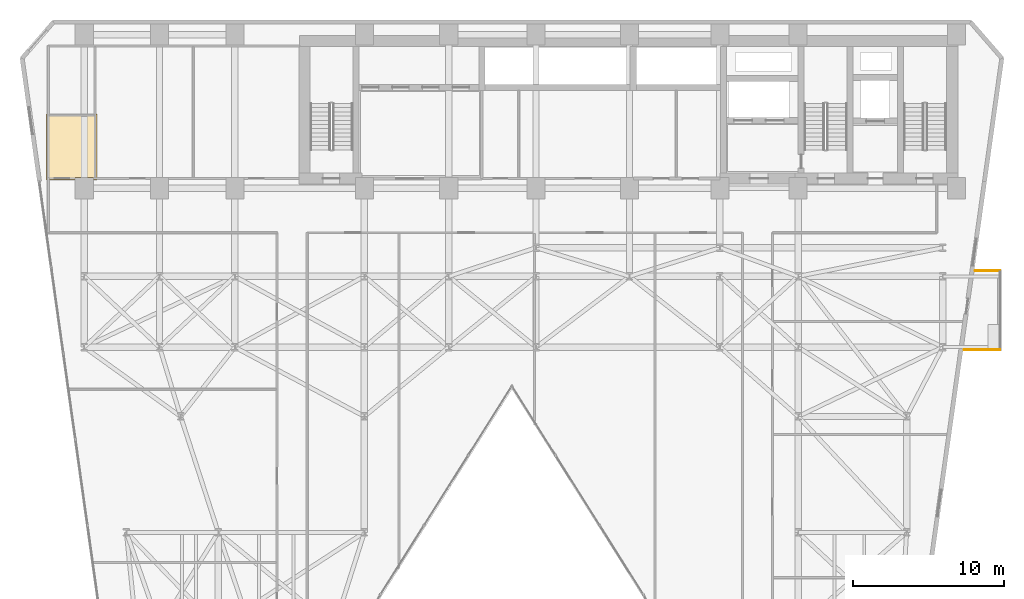
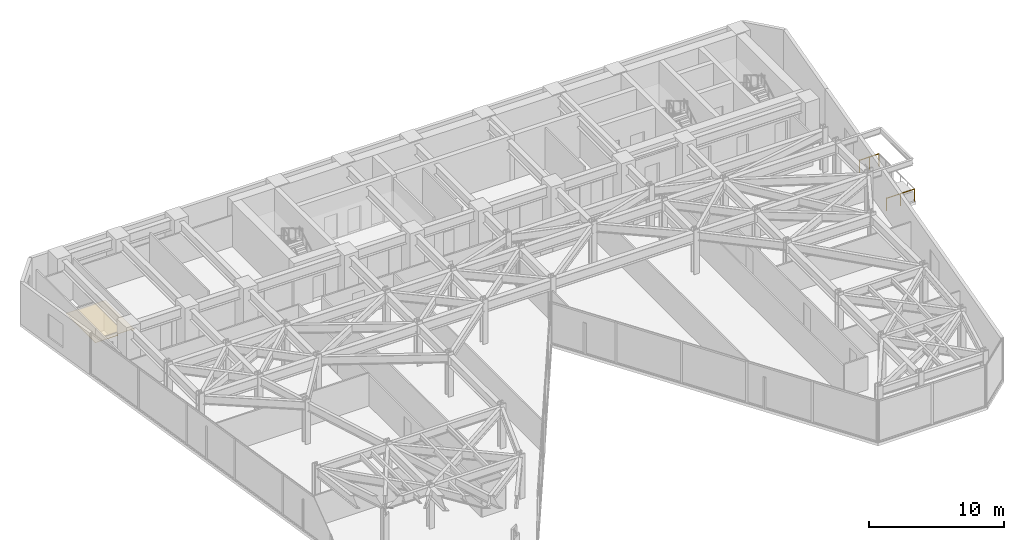
# One storey, part 22 of 24: 2 railings, 1 covering.
"""IFC4 building model written with IfcOpenShell, lengths in metres."""

import ifcopenshell
import ifcopenshell.guid

model = None  # the IFC model being written
_history = None  # IfcOwnerHistory: only IFC2X3 demands one
_inside = {}  # id of a spatial element -> (the spatial element, [elements in it])
_under = {}  # id of a project, library or spatial element -> (it, [spatial elements below it])
_declared = {}  # id of a project -> (the project, [libraries it declares])
_typed = {}  # id of a type object -> (the type object, [elements of that type])
_made_of = {}  # id of a material, layer set ... -> (it, [elements and type objects made of it])


def new_model(schema):
    """Start an empty IFC model of exactly this schema.

    Asked for "IFC4X3", IfcOpenShell would pick the latest addendum, in which some entities
    have other attributes; the version numbers below select the first issue.
    IFC2X3 requires an IfcOwnerHistory on every rooted entity: one is made here for all.
    """
    global model, _history
    if schema == "IFC4X3":
        model = ifcopenshell.file(schema_version=(4, 3, 0, 0))
    else:
        model = ifcopenshell.file(schema=schema)
    _inside.clear()
    _under.clear()
    _declared.clear()
    _typed.clear()
    _made_of.clear()
    _history = None
    if model.schema == "IFC2X3":
        org = make("IfcOrganization", Name="unknown")
        user = make(
            "IfcPersonAndOrganization",
            ThePerson=make("IfcPerson", FamilyName="unknown"),
            TheOrganization=org,
        )
        app = make(
            "IfcApplication",
            ApplicationDeveloper=org,
            Version="unknown",
            ApplicationFullName="unknown",
            ApplicationIdentifier="unknown",
        )
        _history = make(
            "IfcOwnerHistory",
            OwningUser=user,
            OwningApplication=app,
            ChangeAction="ADDED",
            CreationDate=0,
        )
    return model


def make(cls, **values):
    """One entity of the class cls with the attributes given. An attribute that is None is left unset."""
    return model.create_entity(
        cls, **{name: value for name, value in values.items() if value is not None}
    )


def rooted(cls, **values):
    """An entity with a GlobalId (a new one), such as an element, a storey or a relation."""
    return make(cls, GlobalId=ifcopenshell.guid.new(), OwnerHistory=_history, **values)


def si_unit(unit_type, name, prefix=None):
    """IfcSIUnit, for example si_unit("LENGTHUNIT", "METRE", prefix="MILLI")."""
    return make("IfcSIUnit", UnitType=unit_type, Prefix=prefix, Name=name)


def assignment(units):
    """IfcUnitAssignment: the units of a project."""
    return None if units is None else make("IfcUnitAssignment", Units=units)


def point(xyz):
    """IfcCartesianPoint."""
    return None if xyz is None else make("IfcCartesianPoint", Coordinates=xyz)


def direction(xyz):
    """IfcDirection."""
    return None if xyz is None else make("IfcDirection", DirectionRatios=xyz)


def frame(location, z_axis=None, x_axis=None):
    """IfcAxis2Placement3D, a coordinate frame: its origin and axes. An axis left out is left unset."""
    return make(
        "IfcAxis2Placement3D",
        Location=point(location),
        Axis=direction(z_axis),
        RefDirection=direction(x_axis),
    )


def frame_2d(location, x_axis=None):
    """IfcAxis2Placement2D, a coordinate frame in the plane: its origin and x axis."""
    return make(
        "IfcAxis2Placement2D", Location=point(location), RefDirection=direction(x_axis)
    )


def origin():
    """The frame at (0, 0, 0) with its axes left unset."""
    return frame((0.0, 0.0, 0.0))


def origin_2d():
    """The frame at (0, 0) in the plane with its x axis left unset."""
    return frame_2d((0.0, 0.0))


def place(relative_to, where):
    """IfcLocalPlacement: puts the frame where relative to a parent placement (None: the world)."""
    return make(
        "IfcLocalPlacement", PlacementRelTo=relative_to, RelativePlacement=where
    )


def context(
    kind, dimensions, precision=None, world=None, true_north=None, identifier=None
):
    """IfcGeometricRepresentationContext, for example the 3D "Model" context."""
    return make(
        "IfcGeometricRepresentationContext",
        ContextIdentifier=identifier,
        ContextType=kind,
        CoordinateSpaceDimension=dimensions,
        Precision=precision,
        WorldCoordinateSystem=world,
        TrueNorth=true_north,
    )


def subcontext(parent, identifier, kind, view, scale=None):
    """IfcGeometricRepresentationSubContext, for example "Body" below "Model"."""
    return make(
        "IfcGeometricRepresentationSubContext",
        ContextIdentifier=identifier,
        ContextType=kind,
        ParentContext=parent,
        TargetScale=scale,
        TargetView=view,
    )


def project(units=None, contexts=None):
    """IfcProject with its units and contexts."""
    return rooted(
        "IfcProject",
        Name="project",
        RepresentationContexts=contexts,
        UnitsInContext=assignment(units),
    )


def spatial(cls, under=None, at=None, **own):
    """A site, building, storey or space (cls), placed at a placement, below another one or the project."""
    s = rooted(cls, ObjectPlacement=at, **own)
    if under is not None:
        _under.setdefault(under.id(), (under, []))[1].append(s)
    return s


def polyline(points):
    """IfcPolyline through the points."""
    return make("IfcPolyline", Points=[point(p) for p in points])


def profile(cls, at=None, kind="AREA", **sizes):
    """A parametric profile (cls). Its sizes go by their IFC names, for example OverallWidth=200.0."""
    return make(cls, ProfileType=kind, Position=at, **sizes)


def circle(**sizes):
    """IfcCircleProfileDef."""
    return profile("IfcCircleProfileDef", **sizes)


def outline(outer, holes=None, kind="AREA"):
    """IfcArbitraryClosedProfileDef: a profile drawn as a closed curve; with holes, ...WithVoids."""
    if holes is None:
        return make("IfcArbitraryClosedProfileDef", ProfileType=kind, OuterCurve=outer)
    return make(
        "IfcArbitraryProfileDefWithVoids",
        ProfileType=kind,
        OuterCurve=outer,
        InnerCurves=holes,
    )


def extrude(swept, where, along, depth):
    """IfcExtrudedAreaSolid: the profile swept, set in the frame where, extruded along a direction by depth."""
    return make(
        "IfcExtrudedAreaSolid",
        SweptArea=swept,
        Position=where,
        ExtrudedDirection=direction(along),
        Depth=depth,
    )


def shape(context_of_items, identifier, shape_type, items):
    """IfcShapeRepresentation: the items that make up one representation, for example the "Body"."""
    return make(
        "IfcShapeRepresentation",
        ContextOfItems=context_of_items,
        RepresentationIdentifier=identifier,
        RepresentationType=shape_type,
        Items=items,
    )


def material(Name=None, Category=None):
    """IfcMaterial."""
    return make("IfcMaterial", Name=Name, Category=Category)


def layer(
    of_material, thickness, ventilated=None, Name=None, Category=None, Priority=None
):
    """IfcMaterialLayer: one layer of a wall or slab, of a material (None: an air gap)."""
    return make(
        "IfcMaterialLayer",
        Material=of_material,
        LayerThickness=thickness,
        IsVentilated=ventilated,
        Name=Name,
        Category=Category,
        Priority=Priority,
    )


def layer_set(layers, Name=None):
    """IfcMaterialLayerSet."""
    return make("IfcMaterialLayerSet", MaterialLayers=layers, LayerSetName=Name)


def made_of(thing, what):
    """Note that an element or type object is made of a material, layer set ...; save() writes the relation."""
    if what is not None:
        _made_of.setdefault(what.id(), (what, []))[1].append(thing)
    return thing


def type_object(cls, material=None, **own):
    """A type object (cls), such as IfcWallType, which elements share."""
    return made_of(rooted(cls, **own), material)


def element(
    cls,
    number,
    at=None,
    inside=None,
    cuts=None,
    type_object=None,
    material=None,
    context=None,
    identifier="Body",
    shape_type=None,
    held_by="IfcProductDefinitionShape",
    body=None,
    shapes=None,
    **own,
):
    """One element of the class cls, such as IfcWall. Its Tag is "e" and its number.

    at: its placement. inside: the storey or other place that contains it. cuts: it is an
    opening in that element (IfcRelVoidsElement). A single representation is given by context,
    identifier, shape_type and body (its items); several are given by shapes. held_by: the class
    of the entity that holds the representations. save() writes the other relations.
    """
    e = rooted(cls, Tag="e%d" % number, ObjectPlacement=at, **own)
    if body is not None:
        shapes = [shape(context, identifier, shape_type, body)]
    if shapes is not None:
        e.Representation = make(held_by, Representations=shapes)
    if inside is not None:
        _inside.setdefault(inside.id(), (inside, []))[1].append(e)
    if cuts is not None:
        rooted(
            "IfcRelVoidsElement", RelatingBuildingElement=cuts, RelatedOpeningElement=e
        )
    if type_object is not None:
        _typed.setdefault(type_object.id(), (type_object, []))[1].append(e)
    return made_of(e, material)


def aggregate(whole, parts):
    """IfcRelAggregates: a whole, such as a stair, and the parts it consists of."""
    return rooted("IfcRelAggregates", RelatingObject=whole, RelatedObjects=parts)


def save(model, path):
    """Write the relations noted so far, then the file.

    IfcRelAggregates (storeys below a building ...), IfcRelContainedInSpatialStructure (elements
    in a storey), IfcRelDefinesByType, IfcRelAssociatesMaterial and IfcRelDeclares: one each for
    every whole, place, type object, material and project.
    """
    for whole, parts in _under.values():
        aggregate(whole, parts)
    for where, things in _inside.values():
        rooted(
            "IfcRelContainedInSpatialStructure",
            RelatedElements=things,
            RelatingStructure=where,
        )
    for kind, things in _typed.values():
        rooted("IfcRelDefinesByType", RelatedObjects=things, RelatingType=kind)
    for what, things in _made_of.values():
        rooted("IfcRelAssociatesMaterial", RelatedObjects=things, RelatingMaterial=what)
    for by, libraries in _declared.values():
        rooted("IfcRelDeclares", RelatingContext=by, RelatedDefinitions=libraries)
    model.write(path)


model = new_model("IFC4")

# Units and contexts
model_context = context("Model", 3, precision=1e-05, world=origin(), true_north=direction((0.0, 1.0)))
body_context = subcontext(model_context, "Body", "Model", "MODEL_VIEW")
ifc_project = project(units=[si_unit("LENGTHUNIT", "METRE"), si_unit("AREAUNIT", "SQUARE_METRE"), si_unit("VOLUMEUNIT", "CUBIC_METRE"), si_unit("PLANEANGLEUNIT", "RADIAN"), si_unit("MASSUNIT", "GRAM", prefix="KILO")], contexts=[model_context])

# Site, building, storey
site_placement = place(None, origin())
site = spatial("IfcSite", under=ifc_project, at=site_placement, CompositionType="ELEMENT")
building_placement = place(site_placement, origin())
building = spatial("IfcBuilding", under=site, at=building_placement, Name="Kravanh Interchange Tower", CompositionType="ELEMENT")
storey_placement = place(building_placement, frame((0.0, 0.0, 69.5)))
storey = spatial("IfcBuildingStorey", under=building, at=storey_placement, Name="L16", CompositionType="ELEMENT", Elevation=69.5)

# Covering
ifc_material_1 = material(Name="Acoustic Mineral Fibre Tile on Aluminium Grid", Category="aluminium")
ifc_layer_1 = layer(ifc_material_1, 0.02490234375)
ifc_layer_set_1 = layer_set([ifc_layer_1], Name="Perforated Acoustic Mineral Ceiling 25mm")
covering_type = type_object("IfcCoveringType", Name="Perforated Acoustic Mineral Ceiling 25mm", PredefinedType="CEILING", material=ifc_layer_set_1)
covering_placement = place(storey_placement, frame((0.0, 0.0, 2.550048828125)))
element("IfcCovering", 1, at=covering_placement, inside=storey, type_object=covering_type, Name="L16 Accessible WC Suspended Ceiling", PredefinedType="CEILING", context=body_context, shape_type="SweptSolid", body=[
    extrude(outline(polyline([(9.4599609375, 42.280029296875), (9.4599609375, 37.909912109375), (9.199951171875, 37.909912109375), (9.199951171875, 38.050048828125), (8.0, 38.050048828125), (8.0, 37.909912109375), (6.080078125, 37.909912109375), (6.080078125, 42.280029296875), (9.4599609375, 42.280029296875)])), origin(), (0.0, 0.0, 1.0), 0.02490234375),
])

# Railings
ifc_material_2 = material(Name="Stainless Steel 316", Category="steel")
ifc_layer_2 = layer(ifc_material_2, 0.06005859375)
ifc_layer_set_2 = layer_set([ifc_layer_2], Name="Perimeter Balcony and Terrace Guardrail Stainless 316 1120mm")
railing_type = type_object("IfcRailingType", Name="Perimeter Balcony and Terrace Guardrail Stainless 316 1120mm", PredefinedType="GUARDRAIL", material=ifc_layer_set_2)
railing_1_placement = place(storey_placement, frame((69.409912109375, 26.6298828125, 0.0)))
element("IfcRailing", 2, at=railing_1_placement, inside=storey, type_object=railing_type, Name="L16 E Balcony Guardrail 2", PredefinedType="GUARDRAIL", context=body_context, shape_type="SweptSolid", body=[
    extrude(circle(Radius=0.02392578125, at=origin_2d()), frame((0.0, 0.0, 1.09619140625), z_axis=(-1.0, 0.0, 0.0), x_axis=(0.0, -1.0, 0.0)), (0.0, 0.0, 1.0), 2.3876953125),
    extrude(circle(Radius=0.02099609375, at=origin_2d()), origin(), (0.0, 0.0, 1.0), 1.072021484375),
    extrude(circle(Radius=0.02099609375, at=origin_2d()), frame((-1.19384765625, 0.0, 0.0)), (0.0, 0.0, 1.0), 1.072021484375),
    extrude(circle(Radius=0.02099609375, at=origin_2d()), frame((-2.3876953125, 0.0, 0.0)), (0.0, 0.0, 1.0), 1.072021484375),
])
railing_2_placement = place(storey_placement, frame((67.7587890625, 31.8701171875, 0.0)))
element("IfcRailing", 3, at=railing_2_placement, inside=storey, type_object=railing_type, Name="L16 E Balcony Guardrail 3", PredefinedType="GUARDRAIL", context=body_context, shape_type="SweptSolid", body=[
    extrude(circle(Radius=0.02392578125, at=origin_2d()), frame((0.0, 0.0, 1.09619140625), z_axis=(1.0, 0.0, 0.0), x_axis=(0.0, 1.0, 0.0)), (0.0, 0.0, 1.0), 1.651123046875),
    extrude(circle(Radius=0.02099609375, at=origin_2d()), origin(), (0.0, 0.0, 1.0), 1.072021484375),
    extrude(circle(Radius=0.02099609375, at=origin_2d()), frame((0.82568359375, 0.0, 0.0)), (0.0, 0.0, 1.0), 1.072021484375),
    extrude(circle(Radius=0.02099609375, at=origin_2d()), frame((1.651123046875, 0.0, 0.0)), (0.0, 0.0, 1.0), 1.072021484375),
])

save(model, "model.ifc")
